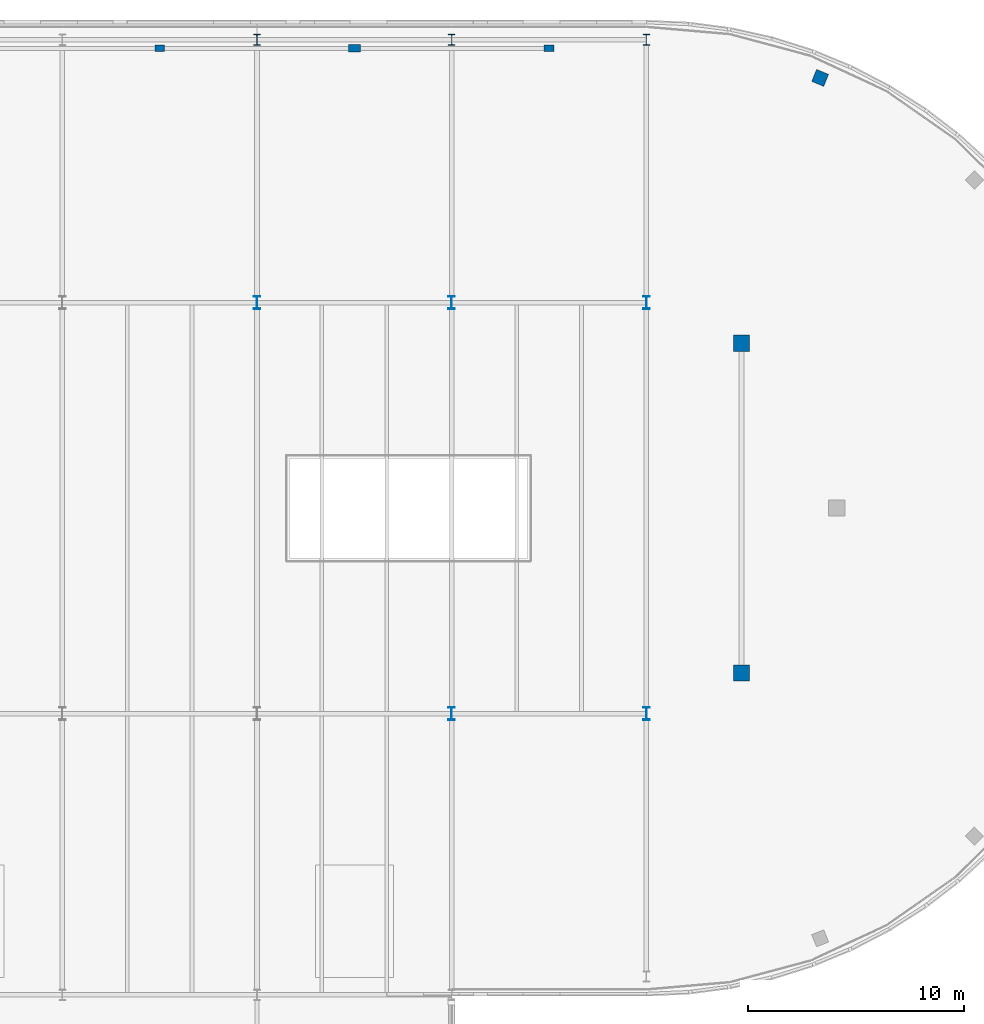
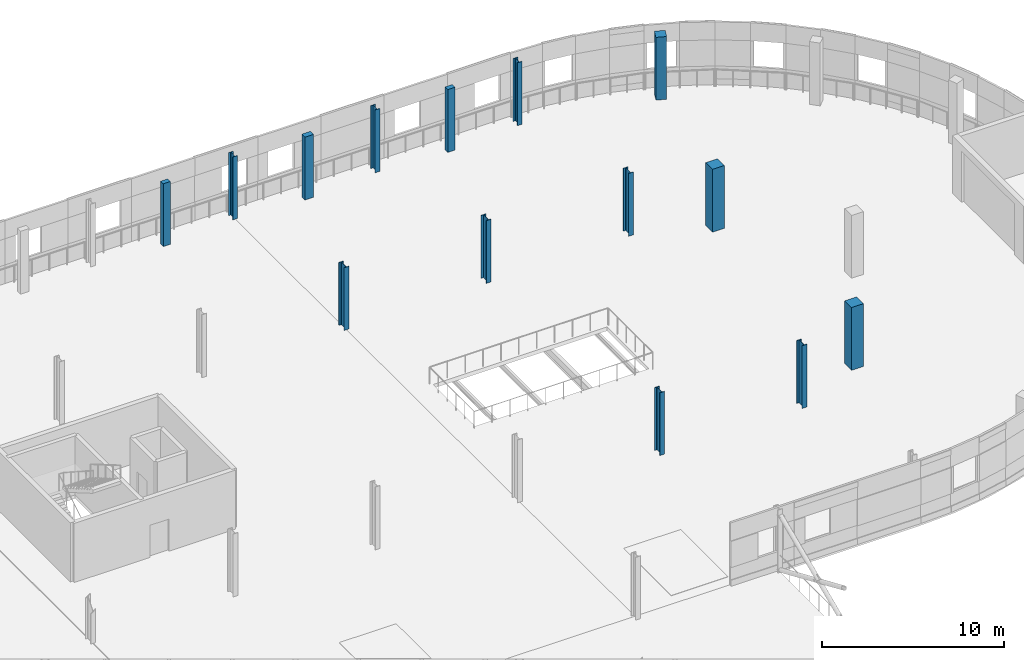
# One storey, part 15 of 140: 14 columns.
"""IFC4 building model written with IfcOpenShell, lengths in metres."""

from ifc_helpers import new_model, si_unit, direction, frame, origin, origin_2d, place, context, subcontext, project, spatial, rectangle, i_section, extrude, material, material_profile, profile_set, type_object, element, save


model = new_model("IFC4")

# Units and contexts
model_context = context("Model", 3, precision=1e-05, world=origin(), true_north=direction((0.0, 1.0)))
body_context = subcontext(model_context, "Body", "Model", "MODEL_VIEW")
ifc_project = project(units=[si_unit("LENGTHUNIT", "METRE"), si_unit("AREAUNIT", "SQUARE_METRE"), si_unit("VOLUMEUNIT", "CUBIC_METRE"), si_unit("PLANEANGLEUNIT", "RADIAN"), si_unit("MASSUNIT", "GRAM", prefix="KILO")], contexts=[model_context])

# Site, building, storey
site_placement = place(None, origin())
site = spatial("IfcSite", under=ifc_project, at=site_placement, CompositionType="ELEMENT")
building_placement = place(site_placement, origin())
building = spatial("IfcBuilding", under=site, at=building_placement, Name="Deido Ridge Mobility Hub", CompositionType="ELEMENT")
storey_placement = place(building_placement, origin())
storey = spatial("IfcBuildingStorey", under=building, at=storey_placement, Name="L00", CompositionType="ELEMENT", Elevation=0.0)

# Columns
ifc_material_1 = material(Name="Steel S355J2 EN 10025-2", Category="steel")
ifc_material_profile_1 = material_profile(ifc_material_1, i_section(OverallWidth=0.300048828125, OverallDepth=0.5, WebThickness=0.014404296875, FlangeThickness=0.028076171875, FilletRadius=0.027099609375, at=origin_2d()), Name="HEB 500")
ifc_profile_set_1 = profile_set([ifc_material_profile_1], Name="Steel S355J2 EN 10025-2")
column_type_1 = type_object("IfcColumnType", Name="COL-HEB500", PredefinedType="COLUMN", material=ifc_profile_set_1)
for number, where, z_axis, x_axis, name in (
    (1, (99.0, 125.14990234375, 0.0), (0.0, 0.0, 1.0), (1.0, 0.0, 0.0), "Structural column C5"),
    (2, (108.0, 125.14990234375, 0.0), (0.0, 0.0, 1.0), (1.0, 0.0, 0.0), "Structural column C5"),
    (3, (117.0, 125.14990234375, 0.0), (0.0, 0.0, 1.0), (1.0, 0.0, 0.0), "Structural column C5"),
):
    element("IfcColumn", number, at=place(storey_placement, frame(where, z_axis=z_axis, x_axis=x_axis)), inside=storey, type_object=column_type_1, Name=name, PredefinedType="COLUMN", context=body_context, shape_type="SweptSolid", body=[
        extrude(i_section(OverallWidth=0.300048828125, OverallDepth=0.5, WebThickness=0.014404296875, FlangeThickness=0.028076171875, FilletRadius=0.027099609375, at=origin_2d()), origin(), (0.0, 0.0, 1.0), 4.199951171875),
    ])
ifc_material_profile_2 = material_profile(ifc_material_1, i_section(OverallWidth=0.300048828125, OverallDepth=0.60009765625, WebThickness=0.015380859375, FlangeThickness=0.030029296875, FilletRadius=0.027099609375, at=origin_2d()), Name="HEB 600")
ifc_profile_set_2 = profile_set([ifc_material_profile_2], Name="Steel S355J2 EN 10025-2")
column_type_2 = type_object("IfcColumnType", Name="COL-HEB600", PredefinedType="COLUMN", material=ifc_profile_set_2)
for number, where, z_axis, x_axis, name in (
    (4, (99.0, 113.0, 0.0), (0.0, 0.0, 1.0), (1.0, 0.0, 0.0), "Structural column C4"),
    (5, (108.0, 94.0, 0.0), (0.0, 0.0, 1.0), (1.0, 0.0, 0.0), "Structural column C4"),
    (6, (108.0, 113.0, 0.0), (0.0, 0.0, 1.0), (1.0, 0.0, 0.0), "Structural column C4"),
    (7, (117.0, 94.0, 0.0), (0.0, 0.0, 1.0), (1.0, 0.0, 0.0), "Structural column C4"),
    (8, (117.0, 113.0, 0.0), (0.0, 0.0, 1.0), (1.0, 0.0, 0.0), "Structural column C4"),
):
    element("IfcColumn", number, at=place(storey_placement, frame(where, z_axis=z_axis, x_axis=x_axis)), inside=storey, type_object=column_type_2, Name=name, PredefinedType="COLUMN", context=body_context, shape_type="SweptSolid", body=[
        extrude(i_section(OverallWidth=0.300048828125, OverallDepth=0.60009765625, WebThickness=0.015380859375, FlangeThickness=0.030029296875, FilletRadius=0.027099609375, at=origin_2d()), origin(), (0.0, 0.0, 1.0), 4.199951171875),
    ])
ifc_material_2 = material(Name="Concrete C40/50", Category="concrete")
ifc_material_profile_3 = material_profile(ifc_material_2, rectangle(XDim=0.60009765625, YDim=0.60009765625, at=origin_2d()), Name="RC COL 600x600")
ifc_profile_set_3 = profile_set([ifc_material_profile_3], Name="Concrete C40/50")
column_type_3 = type_object("IfcColumnType", Name="COL-RC600", PredefinedType="COLUMN", material=ifc_profile_set_3)
column_1_placement = place(storey_placement, frame((125.035400390625, 123.38818359375, 0.0), z_axis=(0.0, 0.0, 1.0), x_axis=(0.374606593416, 0.927183854567, 0.0)))
element("IfcColumn", 9, at=column_1_placement, inside=storey, type_object=column_type_3, Name="Structural column RC2", PredefinedType="COLUMN", context=body_context, shape_type="SweptSolid", body=[
    extrude(rectangle(XDim=0.60009765625, YDim=0.60009765625, at=origin_2d()), origin(), (0.0, 0.0, 1.0), 4.199951171875),
])
ifc_material_profile_4 = material_profile(ifc_material_2, rectangle(XDim=0.75, YDim=0.75, at=origin_2d()), Name="RC COL 750x750")
ifc_profile_set_4 = profile_set([ifc_material_profile_4], Name="Concrete C40/50")
column_type_4 = type_object("IfcColumnType", Name="COL-RC750", PredefinedType="COLUMN", material=ifc_profile_set_4)
for number, where, z_axis, x_axis, name in (
    (10, (121.39990234375, 95.87890625, 0.0), (0.0, 0.0, 1.0), (1.0, 0.0, 0.0), "Structural column RC1"),
    (11, (121.39990234375, 111.12109375, 0.0), (0.0, 0.0, 1.0), (1.0, 0.0, 0.0), "Structural column RC1"),
):
    element("IfcColumn", number, at=place(storey_placement, frame(where, z_axis=z_axis, x_axis=x_axis)), inside=storey, type_object=column_type_4, Name=name, PredefinedType="COLUMN", context=body_context, shape_type="SweptSolid", body=[
        extrude(rectangle(XDim=0.75, YDim=0.75, at=origin_2d()), origin(), (0.0, 0.0, 1.0), 4.199951171875),
    ])
ifc_material_profile_5 = material_profile(ifc_material_2, rectangle(XDim=0.449951171875, YDim=0.300048828125, at=origin_2d()), Name="RC PILASTER 450x300")
ifc_profile_set_5 = profile_set([ifc_material_profile_5], Name="Concrete C40/50")
column_type_5 = type_object("IfcColumnType", Name="PIL-RC450", PredefinedType="PILASTER", material=ifc_profile_set_5)
for number, where, z_axis, x_axis, name in (
    (12, (94.5, 124.75, 0.0), (0.0, 0.0, 1.0), (1.0, 0.0, 0.0), "Structural column PL2"),
    (13, (112.5, 124.75, 0.0), (0.0, 0.0, 1.0), (1.0, 0.0, 0.0), "Structural column PL2"),
):
    element("IfcColumn", number, at=place(storey_placement, frame(where, z_axis=z_axis, x_axis=x_axis)), inside=storey, type_object=column_type_5, Name=name, PredefinedType="PILASTER", context=body_context, shape_type="SweptSolid", body=[
        extrude(rectangle(XDim=0.449951171875, YDim=0.300048828125, at=origin_2d()), origin(), (0.0, 0.0, 1.0), 4.199951171875),
    ])
ifc_material_profile_6 = material_profile(ifc_material_2, rectangle(XDim=0.550048828125, YDim=0.35009765625, at=origin_2d()), Name="RC PILASTER 550x350")
ifc_profile_set_6 = profile_set([ifc_material_profile_6], Name="Concrete C40/50")
column_type_6 = type_object("IfcColumnType", Name="PIL-RC550", PredefinedType="PILASTER", material=ifc_profile_set_6)
column_2_placement = place(storey_placement, frame((103.5, 124.75, 0.0), z_axis=(0.0, 0.0, 1.0), x_axis=(1.0, 0.0, 0.0)))
element("IfcColumn", 14, at=column_2_placement, inside=storey, type_object=column_type_6, Name="Structural column PL1", PredefinedType="PILASTER", context=body_context, shape_type="SweptSolid", body=[
    extrude(rectangle(XDim=0.550048828125, YDim=0.35009765625, at=origin_2d()), origin(), (0.0, 0.0, 1.0), 4.199951171875),
])

save(model, "model.ifc")
